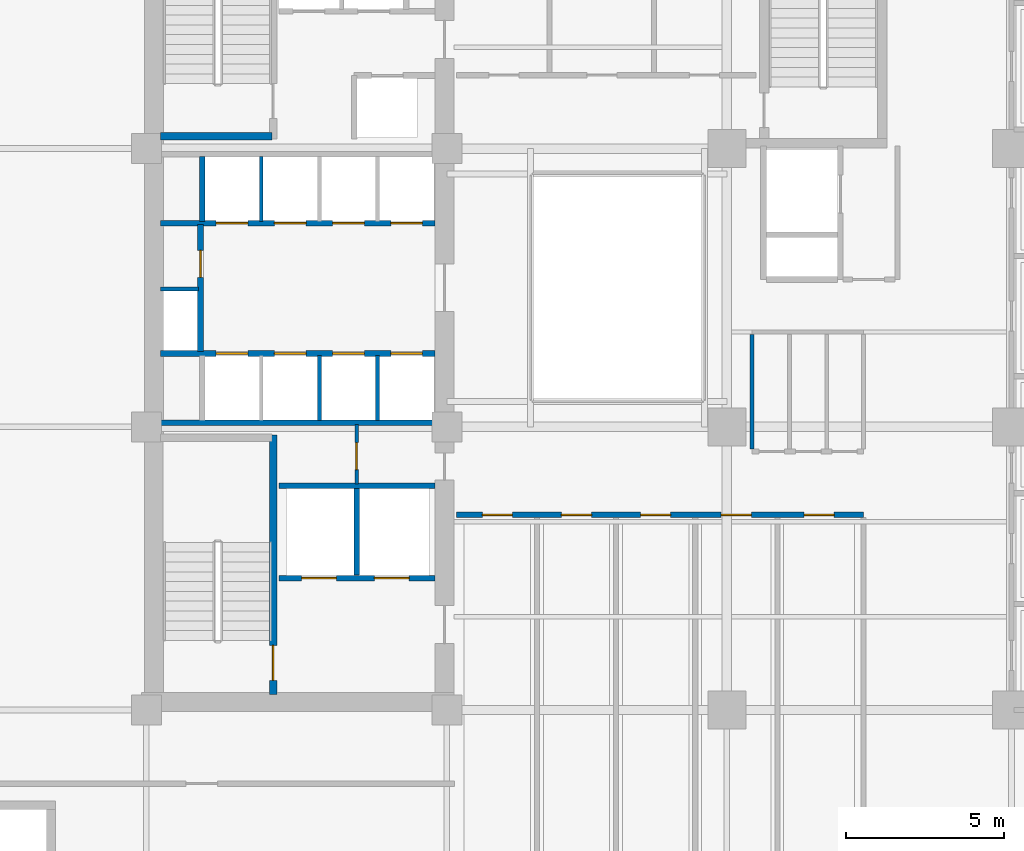
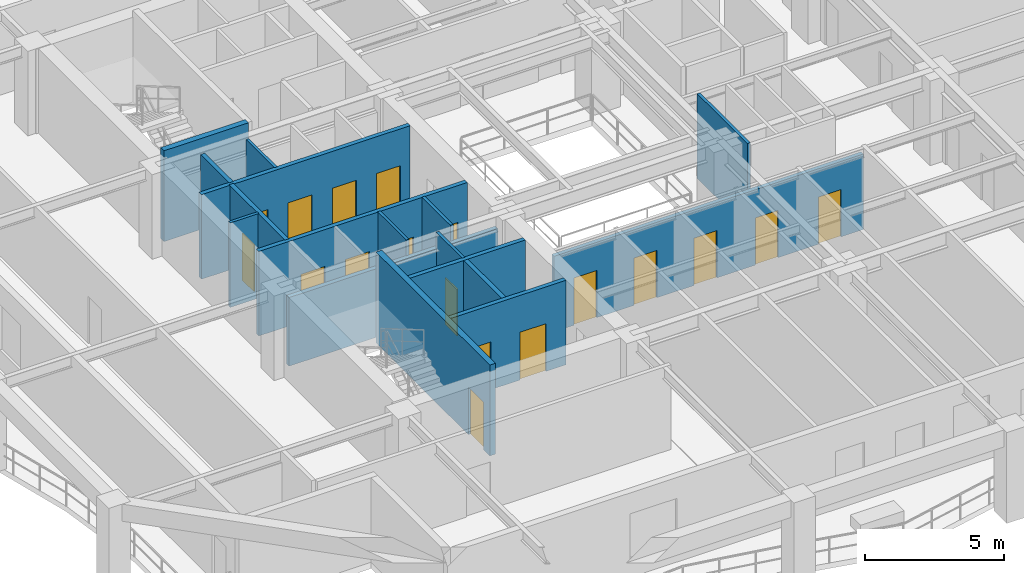
# One storey, part 3 of 13: 18 doors, 17 walls, 18 openings.
"""IFC4 building model written with IfcOpenShell, lengths in metres."""

from ifc_helpers import new_model, si_unit, direction, frame, frame_2d, origin, place, context, subcontext, project, spatial, rectangle, extrude, material, layer, layer_set, type_object, element, fill, save


model = new_model("IFC4")

# Units and contexts
model_context = context("Model", 3, precision=1e-05, world=origin(), true_north=direction((0.0, 1.0)))
body_context = subcontext(model_context, "Body", "Model", "MODEL_VIEW")
ifc_project = project(units=[si_unit("LENGTHUNIT", "METRE"), si_unit("AREAUNIT", "SQUARE_METRE"), si_unit("VOLUMEUNIT", "CUBIC_METRE"), si_unit("PLANEANGLEUNIT", "RADIAN"), si_unit("MASSUNIT", "GRAM", prefix="KILO")], contexts=[model_context])

# Site, building, storey
site_placement = place(None, origin())
site = spatial("IfcSite", under=ifc_project, at=site_placement, CompositionType="ELEMENT")
building_placement = place(site_placement, origin())
building = spatial("IfcBuilding", under=site, at=building_placement, Name="Kundavana Baori Tower", CompositionType="ELEMENT")
storey_placement = place(building_placement, frame((0.0, 0.0, 70.0)))
storey = spatial("IfcBuildingStorey", under=building, at=storey_placement, Name="L16", CompositionType="ELEMENT", Elevation=70.0)

# Wall, opening, door
ifc_material_1 = material(Name="Concrete C50/60", Category="concrete")
ifc_layer_1 = layer(ifc_material_1, 0.39990234375, Name="WL-CORE-400")
ifc_layer_set_1 = layer_set([ifc_layer_1], Name="Concrete C50/60")
wall_type_1 = type_object("IfcWallType", Name="WL-CORE-400", PredefinedType="SHEAR", material=ifc_layer_set_1)
wall_1_placement = place(storey_placement, frame((19.4599609375, 15.739990234375, 0.0), z_axis=(0.0, 0.0, 1.0), x_axis=(0.0, 1.0, 0.0)))
wall_1 = element("IfcWall", 1, at=wall_1_placement, inside=storey, type_object=wall_type_1, Name="WL-L16-ST1-E", PredefinedType="SHEAR", context=body_context, shape_type="SweptSolid", body=[
    extrude(rectangle(XDim=8.199951171875, YDim=0.239990234375, at=frame_2d((4.10009765625, 0.0))), origin(), (0.0, 0.0, 1.0), 4.0),
])
opening_1_placement = place(wall_1_placement, frame((0.449951171875, 0.0, 0.0)))
opening_1 = element("IfcOpeningElement", 2, at=opening_1_placement, cuts=wall_1, Name="Opening FD-110", PredefinedType="OPENING", context=body_context, shape_type="SweptSolid", body=[
    extrude(rectangle(XDim=1.10009765625, YDim=2.10009765625, at=frame_2d((0.550048828125, 1.050048828125))), frame((0.0, 0.1298828125, 0.0), z_axis=(0.0, -1.0, 0.0), x_axis=(1.0, 0.0, 0.0)), (0.0, 0.0, 1.0), 0.260009765625),
])
ifc_material_2 = material(Name="Galvanised Steel Fire-Rated Door Leaf", Category="steel")
door_type_1 = type_object("IfcDoorType", Name="DR-FD120-1100", OperationType="NOTDEFINED", PredefinedType="DOOR", material=ifc_material_2)
door_1_placement = place(opening_1_placement, origin())
door_1 = element("IfcDoor", 3, at=door_1_placement, inside=storey, type_object=door_type_1, Name="DR-L16-ST1", OperationType="SINGLE_SWING_LEFT", OverallHeight=2.10009765625, OverallWidth=1.10009765625, PredefinedType="DOOR", context=body_context, shape_type="SweptSolid", body=[
    extrude(rectangle(XDim=1.10009765625, YDim=2.10009765625, at=frame_2d((0.550048828125, 1.050048828125))), frame((0.0, 0.02490234375, 0.0), z_axis=(0.0, -1.0, 0.0), x_axis=(1.0, 0.0, 0.0)), (0.0, 0.0, 1.0), 0.050048828125),
])
fill(opening_1, door_1)

# Wall
wall_2_placement = place(storey_placement, frame((15.89990234375, 33.389892578125, 0.0), z_axis=(0.0, 0.0, 1.0), x_axis=(1.0, 0.0, 0.0)))
element("IfcWall", 4, at=wall_2_placement, inside=storey, type_object=wall_type_1, Name="WL-L16-ST2-S", PredefinedType="SHEAR", context=body_context, shape_type="SweptSolid", body=[
    extrude(rectangle(XDim=3.52001953125, YDim=0.239990234375, at=frame_2d((1.760009765625, 0.0))), origin(), (0.0, 0.0, 1.0), 4.0),
])

# Wall, opening, door
ifc_material_3 = material(Name="Acoustic Gypsum Plasterboard on Galvanised Steel Studs", Category="steel")
ifc_layer_2 = layer(ifc_material_3, 0.1201171875, Name="WL-PART-120")
ifc_layer_set_2 = layer_set([ifc_layer_2], Name="Acoustic Gypsum Plasterboard on Galvanised Steel Studs")
wall_type_2 = type_object("IfcWallType", Name="WL-PART-120", PredefinedType="PARTITIONING", material=ifc_layer_set_2)
wall_3_placement = place(storey_placement, frame((22.10009765625, 22.39990234375, 0.0), z_axis=(0.0, 0.0, 1.0), x_axis=(0.0, 1.0, 0.0)))
wall_3 = element("IfcWall", 5, at=wall_3_placement, inside=storey, type_object=wall_type_2, Name="WL-L16-CSMK-D1", PredefinedType="PARTITIONING", context=body_context, shape_type="SweptSolid", body=[
    extrude(rectangle(XDim=1.880126953125, YDim=0.1201171875, at=frame_2d((0.93994140625, 0.0))), origin(), (0.0, 0.0, 1.0), 3.719970703125),
])
opening_2_placement = place(wall_3_placement, frame((0.449951171875, 0.0, 0.0)))
opening_2 = element("IfcOpeningElement", 6, at=opening_2_placement, cuts=wall_3, Name="Opening FD-085", PredefinedType="OPENING", context=body_context, shape_type="SweptSolid", body=[
    extrude(rectangle(XDim=0.85009765625, YDim=2.06005859375, at=frame_2d((0.425048828125, 1.030029296875))), frame((0.0, 0.070068359375, 0.0), z_axis=(0.0, -1.0, 0.0), x_axis=(1.0, 0.0, 0.0)), (0.0, 0.0, 1.0), 0.14013671875),
])
ifc_material_4 = material(Name="Galvanised Steel Fire-Rated Door Leaf", Category="steel")
door_type_2 = type_object("IfcDoorType", Name="DR-FD60-850", OperationType="NOTDEFINED", PredefinedType="DOOR", material=ifc_material_4)
door_2_placement = place(opening_2_placement, origin())
door_2 = element("IfcDoor", 7, at=door_2_placement, inside=storey, type_object=door_type_2, Name="DR-L16-CSMK1", OperationType="SINGLE_SWING_LEFT", OverallHeight=2.06005859375, OverallWidth=0.85009765625, PredefinedType="DOOR", context=body_context, shape_type="SweptSolid", body=[
    extrude(rectangle(XDim=0.85009765625, YDim=2.06005859375, at=frame_2d((0.425048828125, 1.030029296875))), frame((0.0, 0.02490234375, 0.0), z_axis=(0.0, -1.0, 0.0), x_axis=(1.0, 0.0, 0.0)), (0.0, 0.0, 1.0), 0.050048828125),
])
fill(opening_2, door_2)

# Walls
for number, where, z_axis, x_axis, name in (
    (8, (20.919921875, 24.39990234375, 0.0), (0.0, 0.0, 1.0), (0.0, 1.0, 0.0), "WL-L16-LPLOW-D2"),
    (9, (22.760009765625, 24.39990234375, 0.0), (0.0, 0.0, 1.0), (0.0, 1.0, 0.0), "WL-L16-LPLOW-D3"),
):
    element("IfcWall", number, at=place(storey_placement, frame(where, z_axis=z_axis, x_axis=x_axis)), inside=storey, type_object=wall_type_2, Name=name, PredefinedType="PARTITIONING", context=body_context, shape_type="SweptSolid", body=[
        extrude(rectangle(XDim=2.050048828125, YDim=0.1201171875, at=frame_2d((1.02490234375, 0.0))), origin(), (0.0, 0.0, 1.0), 3.719970703125),
    ])
wall_4_placement = place(storey_placement, frame((15.89990234375, 28.56005859375, 0.0), z_axis=(0.0, 0.0, 1.0), x_axis=(1.0, 0.0, 0.0)))
element("IfcWall", 10, at=wall_4_placement, inside=storey, type_object=wall_type_2, Name="WL-L16-RSRW-N", PredefinedType="PARTITIONING", context=body_context, shape_type="SweptSolid", body=[
    extrude(rectangle(XDim=1.2001953125, YDim=0.1201171875, at=frame_2d((0.60009765625, 0.0))), origin(), (0.0, 0.0, 1.0), 3.719970703125),
])
wall_5_placement = place(storey_placement, frame((19.080078125, 30.699951171875, 0.0), z_axis=(0.0, 0.0, 1.0), x_axis=(0.0, 1.0, 0.0)))
element("IfcWall", 11, at=wall_5_placement, inside=storey, type_object=wall_type_2, Name="WL-L16-LPMID-D1", PredefinedType="PARTITIONING", context=body_context, shape_type="SweptSolid", body=[
    extrude(rectangle(XDim=2.050048828125, YDim=0.1201171875, at=frame_2d((1.02490234375, 0.0))), origin(), (0.0, 0.0, 1.0), 3.719970703125),
])

# Wall, openings, doors
ifc_material_5 = material(Name="Fire-Rated Gypsum Drywall on Galvanised Steel Studs", Category="steel")
ifc_layer_3 = layer(ifc_material_5, 0.1650390625, Name="WL-PART-165")
ifc_layer_set_3 = layer_set([ifc_layer_3], Name="Fire-Rated Gypsum Drywall on Galvanised Steel Studs")
wall_type_3 = type_object("IfcWallType", Name="WL-PART-165", PredefinedType="PARTITIONING", material=ifc_layer_set_3)
wall_6_placement = place(storey_placement, frame((25.25, 21.419921875, 0.0), z_axis=(0.0, 0.0, 1.0), x_axis=(1.0, 0.0, 0.0)))
wall_6 = element("IfcWall", 12, at=wall_6_placement, inside=storey, type_object=wall_type_3, Name="WL-L16-OFS", PredefinedType="PARTITIONING", context=body_context, shape_type="SweptSolid", body=[
    extrude(rectangle(XDim=12.8701171875, YDim=0.1650390625, at=frame_2d((6.43505859375, 0.0))), origin(), (0.0, 0.0, 1.0), 3.320068359375),
])
opening_3_placement = place(wall_6_placement, frame((0.824951171875, 0.0, 0.0)))
opening_3 = element("IfcOpeningElement", 13, at=opening_3_placement, cuts=wall_6, Name="Opening ID-095", PredefinedType="OPENING", context=body_context, shape_type="SweptSolid", body=[
    extrude(rectangle(XDim=0.949951171875, YDim=2.080078125, at=frame_2d((0.47509765625, 1.0400390625))), frame((0.0, 0.092529296875, 0.0), z_axis=(0.0, -1.0, 0.0), x_axis=(1.0, 0.0, 0.0)), (0.0, 0.0, 1.0), 0.18505859375),
])
opening_4_placement = place(wall_6_placement, frame((3.324951171875, 0.0, 0.0)))
opening_4 = element("IfcOpeningElement", 14, at=opening_4_placement, cuts=wall_6, Name="Opening ID-095", PredefinedType="OPENING", context=body_context, shape_type="SweptSolid", body=[
    extrude(rectangle(XDim=0.949951171875, YDim=2.080078125, at=frame_2d((0.47509765625, 1.0400390625))), frame((0.0, 0.092529296875, 0.0), z_axis=(0.0, -1.0, 0.0), x_axis=(1.0, 0.0, 0.0)), (0.0, 0.0, 1.0), 0.18505859375),
])
opening_5_placement = place(wall_6_placement, frame((5.824951171875, 0.0, 0.0)))
opening_5 = element("IfcOpeningElement", 15, at=opening_5_placement, cuts=wall_6, Name="Opening ID-095", PredefinedType="OPENING", context=body_context, shape_type="SweptSolid", body=[
    extrude(rectangle(XDim=0.949951171875, YDim=2.080078125, at=frame_2d((0.47509765625, 1.0400390625))), frame((0.0, 0.092529296875, 0.0), z_axis=(0.0, -1.0, 0.0), x_axis=(1.0, 0.0, 0.0)), (0.0, 0.0, 1.0), 0.18505859375),
])
opening_6_placement = place(wall_6_placement, frame((8.375, 0.0, 0.0)))
opening_6 = element("IfcOpeningElement", 16, at=opening_6_placement, cuts=wall_6, Name="Opening ID-095", PredefinedType="OPENING", context=body_context, shape_type="SweptSolid", body=[
    extrude(rectangle(XDim=0.949951171875, YDim=2.080078125, at=frame_2d((0.47509765625, 1.0400390625))), frame((0.0, 0.092529296875, 0.0), z_axis=(0.0, -1.0, 0.0), x_axis=(1.0, 0.0, 0.0)), (0.0, 0.0, 1.0), 0.18505859375),
])
opening_7_placement = place(wall_6_placement, frame((10.9951171875, 0.0, 0.0)))
opening_7 = element("IfcOpeningElement", 17, at=opening_7_placement, cuts=wall_6, Name="Opening ID-095", PredefinedType="OPENING", context=body_context, shape_type="SweptSolid", body=[
    extrude(rectangle(XDim=0.949951171875, YDim=2.080078125, at=frame_2d((0.47509765625, 1.0400390625))), frame((0.0, 0.092529296875, 0.0), z_axis=(0.0, -1.0, 0.0), x_axis=(1.0, 0.0, 0.0)), (0.0, 0.0, 1.0), 0.18505859375),
])
ifc_material_6 = material(Name="Engineered Teak Solid-Core Timber Veneer", Category="wood")
door_type_3 = type_object("IfcDoorType", Name="DR-INT-950", OperationType="NOTDEFINED", PredefinedType="DOOR", material=ifc_material_6)
door_3_placement = place(opening_3_placement, frame((0.949951171875, 0.0, 0.0), z_axis=(0.0, 0.0, 1.0), x_axis=(-1.0, 0.0, 0.0)))
door_3 = element("IfcDoor", 18, at=door_3_placement, inside=storey, type_object=door_type_3, Name="DR-L16-OFS1", OperationType="SINGLE_SWING_LEFT", OverallHeight=2.080078125, OverallWidth=0.949951171875, PredefinedType="DOOR", context=body_context, shape_type="SweptSolid", body=[
    extrude(rectangle(XDim=0.949951171875, YDim=2.080078125, at=frame_2d((0.47509765625, 1.0400390625))), frame((0.0, 0.02490234375, 0.0), z_axis=(0.0, -1.0, 0.0), x_axis=(1.0, 0.0, 0.0)), (0.0, 0.0, 1.0), 0.050048828125),
])
fill(opening_3, door_3)
door_4_placement = place(opening_4_placement, frame((0.949951171875, 0.0, 0.0), z_axis=(0.0, 0.0, 1.0), x_axis=(-1.0, 0.0, 0.0)))
door_4 = element("IfcDoor", 19, at=door_4_placement, inside=storey, type_object=door_type_3, Name="DR-L16-OFS2", OperationType="SINGLE_SWING_RIGHT", OverallHeight=2.080078125, OverallWidth=0.949951171875, PredefinedType="DOOR", context=body_context, shape_type="SweptSolid", body=[
    extrude(rectangle(XDim=0.949951171875, YDim=2.080078125, at=frame_2d((0.47509765625, 1.0400390625))), frame((0.0, 0.02490234375, 0.0), z_axis=(0.0, -1.0, 0.0), x_axis=(1.0, 0.0, 0.0)), (0.0, 0.0, 1.0), 0.050048828125),
])
fill(opening_4, door_4)
door_5_placement = place(opening_5_placement, frame((0.949951171875, 0.0, 0.0), z_axis=(0.0, 0.0, 1.0), x_axis=(-1.0, 0.0, 0.0)))
door_5 = element("IfcDoor", 20, at=door_5_placement, inside=storey, type_object=door_type_3, Name="DR-L16-OFS3", OperationType="SINGLE_SWING_LEFT", OverallHeight=2.080078125, OverallWidth=0.949951171875, PredefinedType="DOOR", context=body_context, shape_type="SweptSolid", body=[
    extrude(rectangle(XDim=0.949951171875, YDim=2.080078125, at=frame_2d((0.47509765625, 1.0400390625))), frame((0.0, 0.02490234375, 0.0), z_axis=(0.0, -1.0, 0.0), x_axis=(1.0, 0.0, 0.0)), (0.0, 0.0, 1.0), 0.050048828125),
])
fill(opening_5, door_5)
door_6_placement = place(opening_6_placement, frame((0.949951171875, 0.0, 0.0), z_axis=(0.0, 0.0, 1.0), x_axis=(-1.0, 0.0, 0.0)))
door_6 = element("IfcDoor", 21, at=door_6_placement, inside=storey, type_object=door_type_3, Name="DR-L16-OFS4", OperationType="SINGLE_SWING_RIGHT", OverallHeight=2.080078125, OverallWidth=0.949951171875, PredefinedType="DOOR", context=body_context, shape_type="SweptSolid", body=[
    extrude(rectangle(XDim=0.949951171875, YDim=2.080078125, at=frame_2d((0.47509765625, 1.0400390625))), frame((0.0, 0.02490234375, 0.0), z_axis=(0.0, -1.0, 0.0), x_axis=(1.0, 0.0, 0.0)), (0.0, 0.0, 1.0), 0.050048828125),
])
fill(opening_6, door_6)
door_7_placement = place(opening_7_placement, frame((0.949951171875, 0.0, 0.0), z_axis=(0.0, 0.0, 1.0), x_axis=(-1.0, 0.0, 0.0)))
door_7 = element("IfcDoor", 22, at=door_7_placement, inside=storey, type_object=door_type_3, Name="DR-L16-OFS5", OperationType="SINGLE_SWING_LEFT", OverallHeight=2.080078125, OverallWidth=0.949951171875, PredefinedType="DOOR", context=body_context, shape_type="SweptSolid", body=[
    extrude(rectangle(XDim=0.949951171875, YDim=2.080078125, at=frame_2d((0.47509765625, 1.0400390625))), frame((0.0, 0.02490234375, 0.0), z_axis=(0.0, -1.0, 0.0), x_axis=(1.0, 0.0, 0.0)), (0.0, 0.0, 1.0), 0.050048828125),
])
fill(opening_7, door_7)

ifc_material_7 = material(Name="Autoclaved Aerated Concrete Blockwork Masonry", Category="masonry")
ifc_layer_4 = layer(ifc_material_7, 0.179931640625, Name="WL-SHAFT-180")
ifc_layer_set_4 = layer_set([ifc_layer_4], Name="Autoclaved Aerated Concrete Blockwork Masonry")
wall_type_4 = type_object("IfcWallType", Name="WL-SHAFT-180", PredefinedType="SOLIDWALL", material=ifc_layer_set_4)
wall_7_placement = place(storey_placement, frame((19.639892578125, 19.419921875, 0.0), z_axis=(0.0, 0.0, 1.0), x_axis=(1.0, 0.0, 0.0)))
wall_7 = element("IfcWall", 23, at=wall_7_placement, inside=storey, type_object=wall_type_4, Name="WL-L16-FFL-S", PredefinedType="SOLIDWALL", context=body_context, shape_type="SweptSolid", body=[
    extrude(rectangle(XDim=4.940185546875, YDim=0.179931640625, at=frame_2d((2.47021484375, 0.0))), origin(), (0.0, 0.0, 1.0), 3.719970703125),
])
opening_8_placement = place(wall_7_placement, frame((0.719970703125, 0.0, 0.0)))
opening_8 = element("IfcOpeningElement", 24, at=opening_8_placement, cuts=wall_7, Name="Opening LD-110", PredefinedType="OPENING", context=body_context, shape_type="SweptSolid", body=[
    extrude(rectangle(XDim=1.10009765625, YDim=2.10009765625, at=frame_2d((0.550048828125, 1.050048828125))), frame((0.0, 0.10009765625, 0.0), z_axis=(0.0, -1.0, 0.0), x_axis=(1.0, 0.0, 0.0)), (0.0, 0.0, 1.0), 0.199951171875),
])
opening_9_placement = place(wall_7_placement, frame((3.02001953125, 0.0, 0.0)))
opening_9 = element("IfcOpeningElement", 25, at=opening_9_placement, cuts=wall_7, Name="Opening LD-110", PredefinedType="OPENING", context=body_context, shape_type="SweptSolid", body=[
    extrude(rectangle(XDim=1.10009765625, YDim=2.10009765625, at=frame_2d((0.550048828125, 1.050048828125))), frame((0.0, 0.10009765625, 0.0), z_axis=(0.0, -1.0, 0.0), x_axis=(1.0, 0.0, 0.0)), (0.0, 0.0, 1.0), 0.199951171875),
])
ifc_material_8 = material(Name="Galvanised Steel Fire-Rated Door Leaf", Category="steel")
door_type_4 = type_object("IfcDoorType", Name="DR-SLIDE-LD1100", OperationType="NOTDEFINED", PredefinedType="DOOR", material=ifc_material_8)
door_8_placement = place(opening_8_placement, origin())
door_8 = element("IfcDoor", 26, at=door_8_placement, inside=storey, type_object=door_type_4, Name="DR-L16-LD-FFL-1", OperationType="DOUBLE_DOOR_SLIDING", OverallHeight=2.10009765625, OverallWidth=1.10009765625, PredefinedType="DOOR", context=body_context, shape_type="SweptSolid", body=[
    extrude(rectangle(XDim=1.10009765625, YDim=2.10009765625, at=frame_2d((0.550048828125, 1.050048828125))), frame((0.0, 0.02490234375, 0.0), z_axis=(0.0, -1.0, 0.0), x_axis=(1.0, 0.0, 0.0)), (0.0, 0.0, 1.0), 0.050048828125),
])
fill(opening_8, door_8)
door_9_placement = place(opening_9_placement, origin())
door_9 = element("IfcDoor", 27, at=door_9_placement, inside=storey, type_object=door_type_4, Name="DR-L16-LD-FFL-2", OperationType="DOUBLE_DOOR_SLIDING", OverallHeight=2.10009765625, OverallWidth=1.10009765625, PredefinedType="DOOR", context=body_context, shape_type="SweptSolid", body=[
    extrude(rectangle(XDim=1.10009765625, YDim=2.10009765625, at=frame_2d((0.550048828125, 1.050048828125))), frame((0.0, 0.02490234375, 0.0), z_axis=(0.0, -1.0, 0.0), x_axis=(1.0, 0.0, 0.0)), (0.0, 0.0, 1.0), 0.050048828125),
])
fill(opening_9, door_9)

# Walls
wall_8_placement = place(storey_placement, frame((22.10009765625, 19.510009765625, 0.0), z_axis=(0.0, 0.0, 1.0), x_axis=(0.0, 1.0, 0.0)))
element("IfcWall", 28, at=wall_8_placement, inside=storey, type_object=wall_type_4, Name="WL-L16-FFL-MID", PredefinedType="SOLIDWALL", context=body_context, shape_type="SweptSolid", body=[
    extrude(rectangle(XDim=2.739990234375, YDim=0.179931640625, at=frame_2d((1.3701171875, 0.0))), origin(), (0.0, 0.0, 1.0), 3.719970703125),
])
wall_9_placement = place(storey_placement, frame((19.639892578125, 22.340087890625, 0.0), z_axis=(0.0, 0.0, 1.0), x_axis=(1.0, 0.0, 0.0)))
element("IfcWall", 29, at=wall_9_placement, inside=storey, type_object=wall_type_4, Name="WL-L16-FFL-N", PredefinedType="SOLIDWALL", context=body_context, shape_type="SweptSolid", body=[
    extrude(rectangle(XDim=4.940185546875, YDim=0.179931640625, at=frame_2d((2.47021484375, 0.0))), origin(), (0.0, 0.0, 1.0), 3.719970703125),
])

# Wall, openings, doors
wall_10_placement = place(storey_placement, frame((15.89990234375, 26.52001953125, 0.0), z_axis=(0.0, 0.0, 1.0), x_axis=(1.0, 0.0, 0.0)))
wall_10 = element("IfcWall", 30, at=wall_10_placement, inside=storey, type_object=wall_type_4, Name="WL-L16-LPLOW-N", PredefinedType="SOLIDWALL", context=body_context, shape_type="SweptSolid", body=[
    extrude(rectangle(XDim=8.68017578125, YDim=0.179931640625, at=frame_2d((4.340087890625, 0.0))), origin(), (0.0, 0.0, 1.0), 3.719970703125),
])
opening_10_placement = place(wall_10_placement, frame((1.760009765625, 0.0, 0.0)))
opening_10 = element("IfcOpeningElement", 31, at=opening_10_placement, cuts=wall_10, Name="Opening LD-100", PredefinedType="OPENING", context=body_context, shape_type="SweptSolid", body=[
    extrude(rectangle(XDim=1.0, YDim=2.10009765625, at=frame_2d((0.5, 1.050048828125))), frame((0.0, 0.10009765625, 0.0), z_axis=(0.0, -1.0, 0.0), x_axis=(1.0, 0.0, 0.0)), (0.0, 0.0, 1.0), 0.199951171875),
])
opening_11_placement = place(wall_10_placement, frame((3.60009765625, 0.0, 0.0)))
opening_11 = element("IfcOpeningElement", 32, at=opening_11_placement, cuts=wall_10, Name="Opening LD-100", PredefinedType="OPENING", context=body_context, shape_type="SweptSolid", body=[
    extrude(rectangle(XDim=1.0, YDim=2.10009765625, at=frame_2d((0.5, 1.050048828125))), frame((0.0, 0.10009765625, 0.0), z_axis=(0.0, -1.0, 0.0), x_axis=(1.0, 0.0, 0.0)), (0.0, 0.0, 1.0), 0.199951171875),
])
opening_12_placement = place(wall_10_placement, frame((5.43994140625, 0.0, 0.0)))
opening_12 = element("IfcOpeningElement", 33, at=opening_12_placement, cuts=wall_10, Name="Opening LD-100", PredefinedType="OPENING", context=body_context, shape_type="SweptSolid", body=[
    extrude(rectangle(XDim=1.0, YDim=2.10009765625, at=frame_2d((0.5, 1.050048828125))), frame((0.0, 0.10009765625, 0.0), z_axis=(0.0, -1.0, 0.0), x_axis=(1.0, 0.0, 0.0)), (0.0, 0.0, 1.0), 0.199951171875),
])
opening_13_placement = place(wall_10_placement, frame((7.280029296875, 0.0, 0.0)))
opening_13 = element("IfcOpeningElement", 34, at=opening_13_placement, cuts=wall_10, Name="Opening LD-100", PredefinedType="OPENING", context=body_context, shape_type="SweptSolid", body=[
    extrude(rectangle(XDim=1.0, YDim=2.10009765625, at=frame_2d((0.5, 1.050048828125))), frame((0.0, 0.10009765625, 0.0), z_axis=(0.0, -1.0, 0.0), x_axis=(1.0, 0.0, 0.0)), (0.0, 0.0, 1.0), 0.199951171875),
])
ifc_material_9 = material(Name="Galvanised Steel Fire-Rated Door Leaf", Category="steel")
door_type_5 = type_object("IfcDoorType", Name="DR-SLIDE-LD1000", OperationType="NOTDEFINED", PredefinedType="DOOR", material=ifc_material_9)
door_10_placement = place(opening_10_placement, origin())
door_10 = element("IfcDoor", 35, at=door_10_placement, inside=storey, type_object=door_type_5, Name="DR-L16-LD-LP-01", OperationType="DOUBLE_DOOR_SLIDING", OverallHeight=2.10009765625, OverallWidth=1.0, PredefinedType="DOOR", context=body_context, shape_type="SweptSolid", body=[
    extrude(rectangle(XDim=1.0, YDim=2.10009765625, at=frame_2d((0.5, 1.050048828125))), frame((0.0, 0.02490234375, 0.0), z_axis=(0.0, -1.0, 0.0), x_axis=(1.0, 0.0, 0.0)), (0.0, 0.0, 1.0), 0.050048828125),
])
fill(opening_10, door_10)
door_11_placement = place(opening_11_placement, origin())
door_11 = element("IfcDoor", 36, at=door_11_placement, inside=storey, type_object=door_type_5, Name="DR-L16-LD-LP-02", OperationType="DOUBLE_DOOR_SLIDING", OverallHeight=2.10009765625, OverallWidth=1.0, PredefinedType="DOOR", context=body_context, shape_type="SweptSolid", body=[
    extrude(rectangle(XDim=1.0, YDim=2.10009765625, at=frame_2d((0.5, 1.050048828125))), frame((0.0, 0.02490234375, 0.0), z_axis=(0.0, -1.0, 0.0), x_axis=(1.0, 0.0, 0.0)), (0.0, 0.0, 1.0), 0.050048828125),
])
fill(opening_11, door_11)
door_12_placement = place(opening_12_placement, origin())
door_12 = element("IfcDoor", 37, at=door_12_placement, inside=storey, type_object=door_type_5, Name="DR-L16-LD-LP-03", OperationType="DOUBLE_DOOR_SLIDING", OverallHeight=2.10009765625, OverallWidth=1.0, PredefinedType="DOOR", context=body_context, shape_type="SweptSolid", body=[
    extrude(rectangle(XDim=1.0, YDim=2.10009765625, at=frame_2d((0.5, 1.050048828125))), frame((0.0, 0.02490234375, 0.0), z_axis=(0.0, -1.0, 0.0), x_axis=(1.0, 0.0, 0.0)), (0.0, 0.0, 1.0), 0.050048828125),
])
fill(opening_12, door_12)
door_13_placement = place(opening_13_placement, origin())
door_13 = element("IfcDoor", 38, at=door_13_placement, inside=storey, type_object=door_type_5, Name="DR-L16-LD-LP-04", OperationType="DOUBLE_DOOR_SLIDING", OverallHeight=2.10009765625, OverallWidth=1.0, PredefinedType="DOOR", context=body_context, shape_type="SweptSolid", body=[
    extrude(rectangle(XDim=1.0, YDim=2.10009765625, at=frame_2d((0.5, 1.050048828125))), frame((0.0, 0.02490234375, 0.0), z_axis=(0.0, -1.0, 0.0), x_axis=(1.0, 0.0, 0.0)), (0.0, 0.0, 1.0), 0.050048828125),
])
fill(opening_13, door_13)

# Wall
wall_11_placement = place(storey_placement, frame((15.89990234375, 24.330078125, 0.0), z_axis=(0.0, 0.0, 1.0), x_axis=(1.0, 0.0, 0.0)))
element("IfcWall", 39, at=wall_11_placement, inside=storey, type_object=wall_type_4, Name="WL-L16-LPLOW-S", PredefinedType="SOLIDWALL", context=body_context, shape_type="SweptSolid", body=[
    extrude(rectangle(XDim=8.68017578125, YDim=0.179931640625, at=frame_2d((4.340087890625, 0.0))), origin(), (0.0, 0.0, 1.0), 3.02001953125),
])

# Wall, opening, door
wall_12_placement = place(storey_placement, frame((17.159912109375, 26.580078125, 0.0), z_axis=(0.0, 0.0, 1.0), x_axis=(0.0, 1.0, 0.0)))
wall_12 = element("IfcWall", 40, at=wall_12_placement, inside=storey, type_object=wall_type_4, Name="WL-L16-RSRW-E", PredefinedType="SOLIDWALL", context=body_context, shape_type="SweptSolid", body=[
    extrude(rectangle(XDim=4.02001953125, YDim=0.179931640625, at=frame_2d((2.010009765625, 0.0))), origin(), (0.0, 0.0, 1.0), 3.719970703125),
])
opening_14_placement = place(wall_12_placement, frame((2.35009765625, 0.0, 0.0)))
opening_14 = element("IfcOpeningElement", 41, at=opening_14_placement, cuts=wall_12, Name="Opening FD-085", PredefinedType="OPENING", context=body_context, shape_type="SweptSolid", body=[
    extrude(rectangle(XDim=0.85009765625, YDim=2.06005859375, at=frame_2d((0.425048828125, 1.030029296875))), frame((0.0, 0.10009765625, 0.0), z_axis=(0.0, -1.0, 0.0), x_axis=(1.0, 0.0, 0.0)), (0.0, 0.0, 1.0), 0.199951171875),
])
door_14_placement = place(opening_14_placement, origin())
door_14 = element("IfcDoor", 42, at=door_14_placement, inside=storey, type_object=door_type_2, Name="DR-L16-CLN", OperationType="SINGLE_SWING_RIGHT", OverallHeight=2.06005859375, OverallWidth=0.85009765625, PredefinedType="DOOR", context=body_context, shape_type="SweptSolid", body=[
    extrude(rectangle(XDim=0.85009765625, YDim=2.06005859375, at=frame_2d((0.425048828125, 1.030029296875))), frame((0.0, 0.02490234375, 0.0), z_axis=(0.0, -1.0, 0.0), x_axis=(1.0, 0.0, 0.0)), (0.0, 0.0, 1.0), 0.050048828125),
])
fill(opening_14, door_14)

# Wall, openings, doors
wall_13_placement = place(storey_placement, frame((15.89990234375, 30.639892578125, 0.0), z_axis=(0.0, 0.0, 1.0), x_axis=(1.0, 0.0, 0.0)))
wall_13 = element("IfcWall", 43, at=wall_13_placement, inside=storey, type_object=wall_type_4, Name="WL-L16-LPMID-S", PredefinedType="SOLIDWALL", context=body_context, shape_type="SweptSolid", body=[
    extrude(rectangle(XDim=8.68017578125, YDim=0.179931640625, at=frame_2d((4.340087890625, 0.0))), origin(), (0.0, 0.0, 1.0), 3.719970703125),
])
opening_15_placement = place(wall_13_placement, frame((1.760009765625, 0.0, 0.0)))
opening_15 = element("IfcOpeningElement", 44, at=opening_15_placement, cuts=wall_13, Name="Opening LD-100", PredefinedType="OPENING", context=body_context, shape_type="SweptSolid", body=[
    extrude(rectangle(XDim=1.0, YDim=2.10009765625, at=frame_2d((0.5, 1.050048828125))), frame((0.0, 0.10009765625, 0.0), z_axis=(0.0, -1.0, 0.0), x_axis=(1.0, 0.0, 0.0)), (0.0, 0.0, 1.0), 0.199951171875),
])
opening_16_placement = place(wall_13_placement, frame((3.60009765625, 0.0, 0.0)))
opening_16 = element("IfcOpeningElement", 45, at=opening_16_placement, cuts=wall_13, Name="Opening LD-100", PredefinedType="OPENING", context=body_context, shape_type="SweptSolid", body=[
    extrude(rectangle(XDim=1.0, YDim=2.10009765625, at=frame_2d((0.5, 1.050048828125))), frame((0.0, 0.10009765625, 0.0), z_axis=(0.0, -1.0, 0.0), x_axis=(1.0, 0.0, 0.0)), (0.0, 0.0, 1.0), 0.199951171875),
])
opening_17_placement = place(wall_13_placement, frame((5.43994140625, 0.0, 0.0)))
opening_17 = element("IfcOpeningElement", 46, at=opening_17_placement, cuts=wall_13, Name="Opening LD-100", PredefinedType="OPENING", context=body_context, shape_type="SweptSolid", body=[
    extrude(rectangle(XDim=1.0, YDim=2.10009765625, at=frame_2d((0.5, 1.050048828125))), frame((0.0, 0.10009765625, 0.0), z_axis=(0.0, -1.0, 0.0), x_axis=(1.0, 0.0, 0.0)), (0.0, 0.0, 1.0), 0.199951171875),
])
opening_18_placement = place(wall_13_placement, frame((7.280029296875, 0.0, 0.0)))
opening_18 = element("IfcOpeningElement", 47, at=opening_18_placement, cuts=wall_13, Name="Opening LD-100", PredefinedType="OPENING", context=body_context, shape_type="SweptSolid", body=[
    extrude(rectangle(XDim=1.0, YDim=2.10009765625, at=frame_2d((0.5, 1.050048828125))), frame((0.0, 0.10009765625, 0.0), z_axis=(0.0, -1.0, 0.0), x_axis=(1.0, 0.0, 0.0)), (0.0, 0.0, 1.0), 0.199951171875),
])
door_15_placement = place(opening_15_placement, frame((1.0, 0.0, 0.0), z_axis=(0.0, 0.0, 1.0), x_axis=(-1.0, 0.0, 0.0)))
door_15 = element("IfcDoor", 48, at=door_15_placement, inside=storey, type_object=door_type_5, Name="DR-L16-LD-LP-05", OperationType="DOUBLE_DOOR_SLIDING", OverallHeight=2.10009765625, OverallWidth=1.0, PredefinedType="DOOR", context=body_context, shape_type="SweptSolid", body=[
    extrude(rectangle(XDim=1.0, YDim=2.10009765625, at=frame_2d((0.5, 1.050048828125))), frame((0.0, 0.02490234375, 0.0), z_axis=(0.0, -1.0, 0.0), x_axis=(1.0, 0.0, 0.0)), (0.0, 0.0, 1.0), 0.050048828125),
])
fill(opening_15, door_15)
door_16_placement = place(opening_16_placement, frame((1.0, 0.0, 0.0), z_axis=(0.0, 0.0, 1.0), x_axis=(-1.0, 0.0, 0.0)))
door_16 = element("IfcDoor", 49, at=door_16_placement, inside=storey, type_object=door_type_5, Name="DR-L16-LD-LP-06", OperationType="DOUBLE_DOOR_SLIDING", OverallHeight=2.10009765625, OverallWidth=1.0, PredefinedType="DOOR", context=body_context, shape_type="SweptSolid", body=[
    extrude(rectangle(XDim=1.0, YDim=2.10009765625, at=frame_2d((0.5, 1.050048828125))), frame((0.0, 0.02490234375, 0.0), z_axis=(0.0, -1.0, 0.0), x_axis=(1.0, 0.0, 0.0)), (0.0, 0.0, 1.0), 0.050048828125),
])
fill(opening_16, door_16)
door_17_placement = place(opening_17_placement, frame((1.0, 0.0, 0.0), z_axis=(0.0, 0.0, 1.0), x_axis=(-1.0, 0.0, 0.0)))
door_17 = element("IfcDoor", 50, at=door_17_placement, inside=storey, type_object=door_type_5, Name="DR-L16-LD-LP-07", OperationType="DOUBLE_DOOR_SLIDING", OverallHeight=2.10009765625, OverallWidth=1.0, PredefinedType="DOOR", context=body_context, shape_type="SweptSolid", body=[
    extrude(rectangle(XDim=1.0, YDim=2.10009765625, at=frame_2d((0.5, 1.050048828125))), frame((0.0, 0.02490234375, 0.0), z_axis=(0.0, -1.0, 0.0), x_axis=(1.0, 0.0, 0.0)), (0.0, 0.0, 1.0), 0.050048828125),
])
fill(opening_17, door_17)
door_18_placement = place(opening_18_placement, frame((1.0, 0.0, 0.0), z_axis=(0.0, 0.0, 1.0), x_axis=(-1.0, 0.0, 0.0)))
door_18 = element("IfcDoor", 51, at=door_18_placement, inside=storey, type_object=door_type_5, Name="DR-L16-LD-LP-08", OperationType="DOUBLE_DOOR_SLIDING", OverallHeight=2.10009765625, OverallWidth=1.0, PredefinedType="DOOR", context=body_context, shape_type="SweptSolid", body=[
    extrude(rectangle(XDim=1.0, YDim=2.10009765625, at=frame_2d((0.5, 1.050048828125))), frame((0.0, 0.02490234375, 0.0), z_axis=(0.0, -1.0, 0.0), x_axis=(1.0, 0.0, 0.0)), (0.0, 0.0, 1.0), 0.050048828125),
])
fill(opening_18, door_18)

# Walls
wall_14_placement = place(storey_placement, frame((17.219970703125, 30.699951171875, 0.0), z_axis=(0.0, 0.0, 1.0), x_axis=(0.0, 1.0, 0.0)))
element("IfcWall", 52, at=wall_14_placement, inside=storey, type_object=wall_type_4, Name="WL-L16-LPMID-W", PredefinedType="SOLIDWALL", context=body_context, shape_type="SweptSolid", body=[
    extrude(rectangle(XDim=2.050048828125, YDim=0.179931640625, at=frame_2d((1.02490234375, 0.0))), origin(), (0.0, 0.0, 1.0), 3.719970703125),
])
ifc_material_10 = material(Name="Autoclaved Aerated Concrete Blockwork Masonry", Category="masonry")
ifc_layer_5 = layer(ifc_material_10, 0.125, Name="WL-WET-120")
ifc_layer_set_5 = layer_set([ifc_layer_5], Name="Autoclaved Aerated Concrete Blockwork Masonry")
wall_type_5 = type_object("IfcWallType", Name="WL-WET-120", PredefinedType="PLUMBINGWALL", material=ifc_layer_set_5)
wall_15_placement = place(storey_placement, frame((34.60009765625, 23.5, 0.0), z_axis=(0.0, 0.0, 1.0), x_axis=(0.0, 1.0, 0.0)))
element("IfcWall", 53, at=wall_15_placement, inside=storey, type_object=wall_type_5, Name="WL-L16-WCW", PredefinedType="PLUMBINGWALL", context=body_context, shape_type="SweptSolid", body=[
    extrude(rectangle(XDim=3.6201171875, YDim=0.125, at=frame_2d((1.81005859375, 0.0))), origin(), (0.0, 0.0, 1.0), 3.719970703125),
])

save(model, "model.ifc")
